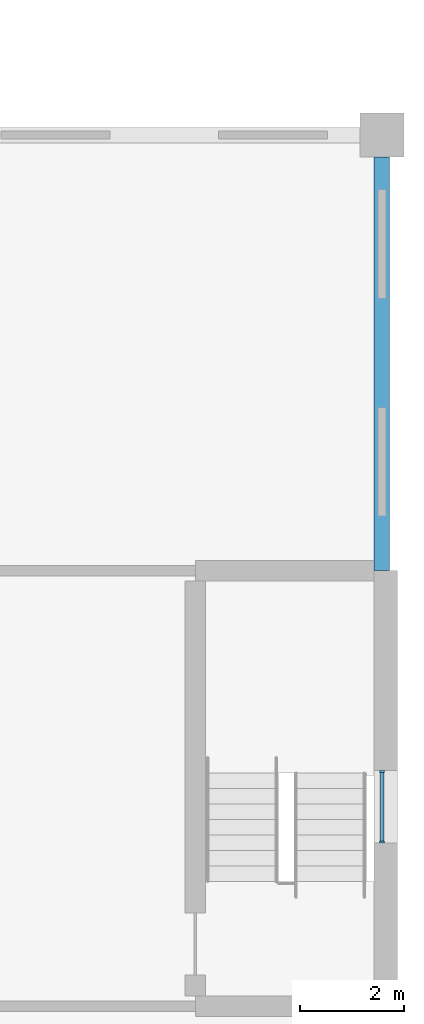
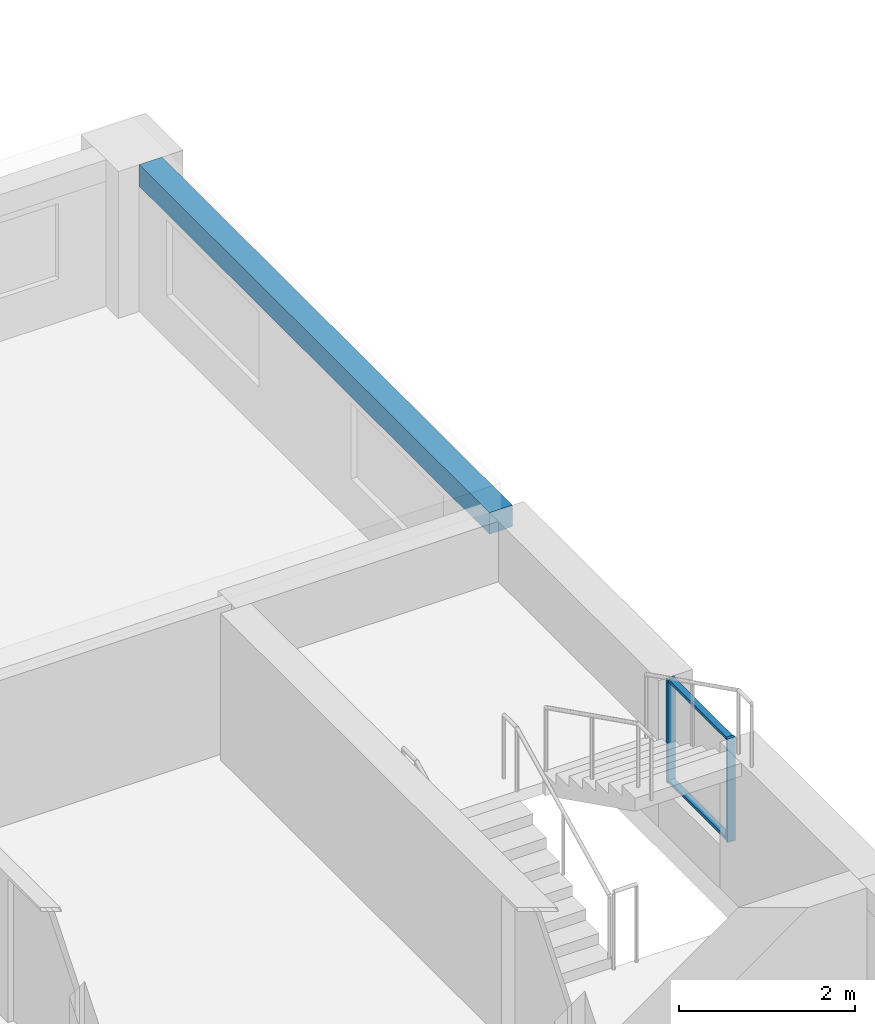
# One storey, part 21 of 48: 4 members, 1 beam, 1 element without a shape of its own.
"""IFC4 building model written with IfcOpenShell, lengths in metres."""

from ifc_helpers import new_model, si_unit, direction, frame, origin, origin_2d, place, context, subcontext, project, spatial, rectangle, extrude, material, material_profile, profile_set, type_object, element, aggregate, save


model = new_model("IFC4")

# Units and contexts
model_context = context("Model", 3, precision=1e-05, world=origin(), true_north=direction((0.0, 1.0)))
body_context = subcontext(model_context, "Body", "Model", "MODEL_VIEW")
ifc_project = project(units=[si_unit("LENGTHUNIT", "METRE"), si_unit("AREAUNIT", "SQUARE_METRE"), si_unit("VOLUMEUNIT", "CUBIC_METRE"), si_unit("PLANEANGLEUNIT", "RADIAN"), si_unit("MASSUNIT", "GRAM", prefix="KILO")], contexts=[model_context])

# Site, building, storey
site_placement = place(None, origin())
site = spatial("IfcSite", under=ifc_project, at=site_placement, CompositionType="ELEMENT")
building_placement = place(site_placement, origin())
building = spatial("IfcBuilding", under=site, at=building_placement, Name="Yavir Park General Hospital", CompositionType="ELEMENT")
storey_placement = place(building_placement, frame((0.0, 0.0, 12.89990234375)))
storey = spatial("IfcBuildingStorey", under=building, at=storey_placement, Name="I02", CompositionType="ELEMENT", Elevation=12.89990234375)

# Beam
ifc_material_1 = material(Name="Concrete C35/45", Category="concrete")
ifc_material_profile_1 = material_profile(ifc_material_1, rectangle(XDim=0.300048828125, YDim=0.300048828125, at=origin_2d()), Name="RC300x300")
ifc_profile_set_1 = profile_set([ifc_material_profile_1], Name="Concrete C35/45")
beam_type = type_object("IfcBeamType", Name="RC BEAM 300x300 edge beam", PredefinedType="BEAM", material=ifc_profile_set_1)
beam_placement = place(storey_placement, frame((168.0, 25.199951171875, 1.89013671875), z_axis=(0.0, 1.0, 0.0), x_axis=(-1.0, 0.0, 0.0)))
element("IfcBeam", 1, at=beam_placement, inside=storey, type_object=beam_type, Name="B:EDGE:I02:052", PredefinedType="BEAM", context=body_context, shape_type="SweptSolid", body=[
    extrude(rectangle(XDim=0.300048828125, YDim=0.300048828125, at=origin_2d()), origin(), (0.0, 0.0, 1.0), 7.97509765625),
])

# Curtain wall, members
ifc_material_2 = material(Name="Aluminium curtain wall frame with insulated glazing", Category="aluminium")
curtain_wall_type = type_object("IfcCurtainWallType", Name="Stair light slot, interstitial floor, 1440 high, 1400 module", PredefinedType="NOTDEFINED", material=ifc_material_2)
curtain_wall_placement = place(storey_placement, origin())
curtain_wall = element("IfcCurtainWall", 2, at=curtain_wall_placement, inside=storey, type_object=curtain_wall_type, Name="CW12 I02-012", PredefinedType="NOTDEFINED")
ifc_material_3 = material(Name="Aluminium", Category="aluminium")
ifc_material_profile_2 = material_profile(ifc_material_3, rectangle(XDim=0.10009765625, YDim=0.0400390625, at=origin_2d()), Name="AL 40x100")
ifc_profile_set_2 = profile_set([ifc_material_profile_2], Name="Aluminium")
member_type_1 = type_object("IfcMemberType", Name="Stair light slot, interstitial floor, 1440 high mullion 40 x 100", PredefinedType="MULLION", material=ifc_profile_set_2)
member_1_placement = place(storey_placement, frame((168.0, 19.969970703125, 0.60009765625), z_axis=(0.0, 0.0, 1.0), x_axis=(-1.0, 0.0, 0.0)))
member_1 = element("IfcMember", 3, at=member_1_placement, type_object=member_type_1, Name="CW12 mullion 1", PredefinedType="MULLION", context=body_context, shape_type="SweptSolid", body=[
    extrude(rectangle(XDim=0.10009765625, YDim=0.0400390625, at=origin_2d()), origin(), (0.0, 0.0, 1.0), 1.43994140625),
])
member_2_placement = place(storey_placement, frame((168.0, 21.330078125, 0.60009765625), z_axis=(0.0, 0.0, 1.0), x_axis=(-1.0, 0.0, 0.0)))
member_2 = element("IfcMember", 4, at=member_2_placement, type_object=member_type_1, Name="CW12 mullion 2", PredefinedType="MULLION", context=body_context, shape_type="SweptSolid", body=[
    extrude(rectangle(XDim=0.10009765625, YDim=0.0400390625, at=origin_2d()), origin(), (0.0, 0.0, 1.0), 1.43994140625),
])
ifc_material_4 = material(Name="Aluminium", Category="aluminium")
ifc_material_profile_3 = material_profile(ifc_material_4, rectangle(XDim=0.080078125, YDim=0.0400390625, at=origin_2d()), Name="AL 80x40")
ifc_profile_set_3 = profile_set([ifc_material_profile_3], Name="Aluminium")
member_type_2 = type_object("IfcMemberType", Name="Stair light slot, interstitial floor, 1440 high transom 40 x 80", PredefinedType="MULLION", material=ifc_profile_set_3)
member_3_placement = place(storey_placement, frame((168.0, 19.989990234375, 0.6201171875), z_axis=(0.0, 1.0, 0.0), x_axis=(-1.0, 0.0, 0.0)))
member_3 = element("IfcMember", 5, at=member_3_placement, type_object=member_type_2, Name="CW12 transom 1.1", PredefinedType="MULLION", context=body_context, shape_type="SweptSolid", body=[
    extrude(rectangle(XDim=0.080078125, YDim=0.0400390625, at=origin_2d()), origin(), (0.0, 0.0, 1.0), 1.320068359375),
])
member_4_placement = place(storey_placement, frame((168.0, 19.989990234375, 2.02001953125), z_axis=(0.0, 1.0, 0.0), x_axis=(-1.0, 0.0, 0.0)))
member_4 = element("IfcMember", 6, at=member_4_placement, type_object=member_type_2, Name="CW12 transom 1.2", PredefinedType="MULLION", context=body_context, shape_type="SweptSolid", body=[
    extrude(rectangle(XDim=0.080078125, YDim=0.0400390625, at=origin_2d()), origin(), (0.0, 0.0, 1.0), 1.320068359375),
])
aggregate(curtain_wall, [member_1, member_2, member_3, member_4])

save(model, "model.ifc")
